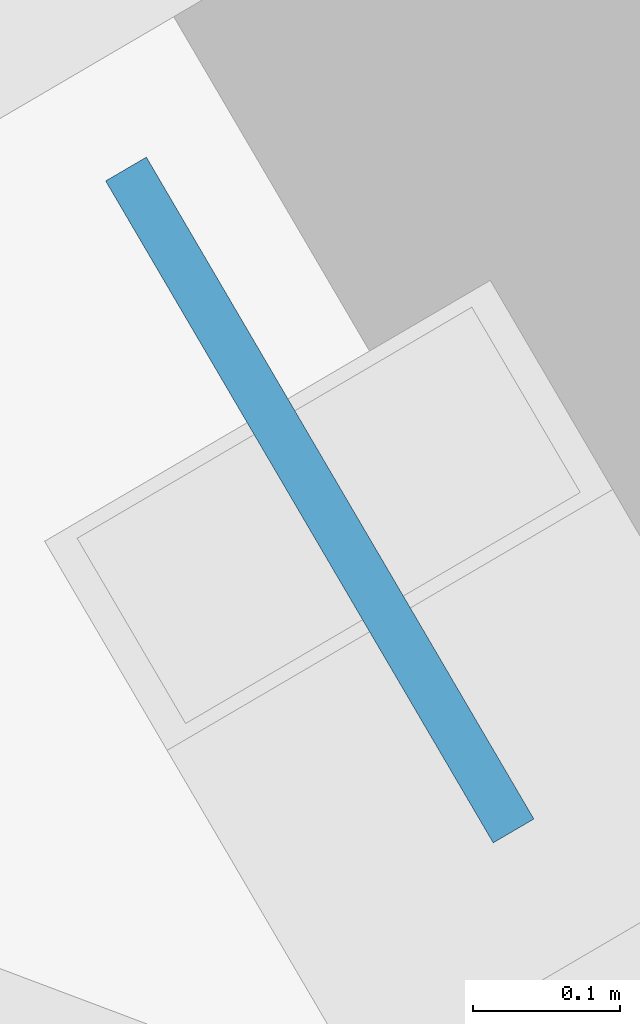
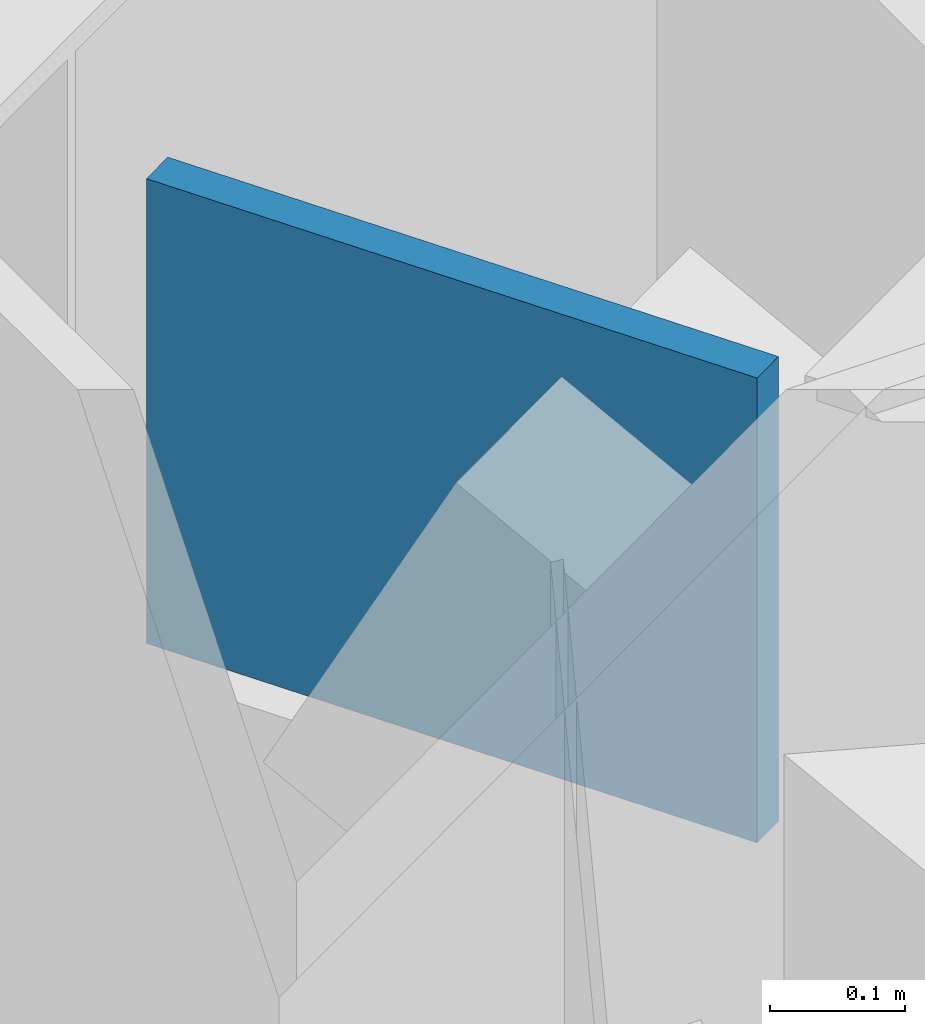
# One storey, part 5 of 11: 1 plate.
"""IFC4 building model written with IfcOpenShell, lengths in metres."""

from ifc_helpers import new_model, si_unit, direction, frame, origin, origin_2d, place, context, subcontext, project, spatial, rectangle, extrude, material, layer, layer_set, type_object, element, save


model = new_model("IFC4")

# Units and contexts
model_context = context("Model", 3, precision=1e-05, world=origin(), true_north=direction((0.0, 1.0)))
body_context = subcontext(model_context, "Body", "Model", "MODEL_VIEW")
ifc_project = project(units=[si_unit("LENGTHUNIT", "METRE"), si_unit("AREAUNIT", "SQUARE_METRE"), si_unit("VOLUMEUNIT", "CUBIC_METRE"), si_unit("PLANEANGLEUNIT", "RADIAN"), si_unit("MASSUNIT", "GRAM", prefix="KILO")], contexts=[model_context])

# Site, building, storey
site_placement = place(None, origin())
site = spatial("IfcSite", under=ifc_project, at=site_placement, CompositionType="ELEMENT")
building_placement = place(site_placement, origin())
building = spatial("IfcBuilding", under=site, at=building_placement, Name="Kavelnor Concourse Tower", CompositionType="ELEMENT")
storey_placement = place(building_placement, frame((0.0, 0.0, 56.050048828125)))
storey = spatial("IfcBuildingStorey", under=building, at=storey_placement, Name="L14", CompositionType="ELEMENT", Elevation=56.050048828125)

# Plate
ifc_material = material(Name="Steel Grade 350", Category="steel")
ifc_layer = layer(ifc_material, 0.031982421875, Name="Steel Grade 350")
ifc_layer_set = layer_set([ifc_layer], Name="Steel Grade 350")
plate_type = type_object("IfcPlateType", Name="PL-GUSSET-TUBE-Z1", PredefinedType="USERDEFINED", material=ifc_layer_set)
plate_placement = place(storey_placement, frame((51.202880859375, 33.890869140625, 3.073974609375), z_axis=(0.0, 0.0, 1.0), x_axis=(-0.505280886365, 0.862954938496, 0.0)))
element("IfcPlate", 1, at=plate_placement, inside=storey, type_object=plate_type, Name="L14 Tube Brace Gusset GP3 F2-B3 End Gusset B", ObjectType="GUSSET_PLATE", PredefinedType="USERDEFINED", context=body_context, shape_type="SweptSolid", body=[
    extrude(rectangle(XDim=0.52001953125, YDim=0.031982421875, at=origin_2d()), origin(), (0.0, 0.0, 1.0), 0.419921875),
])

save(model, "model.ifc")
